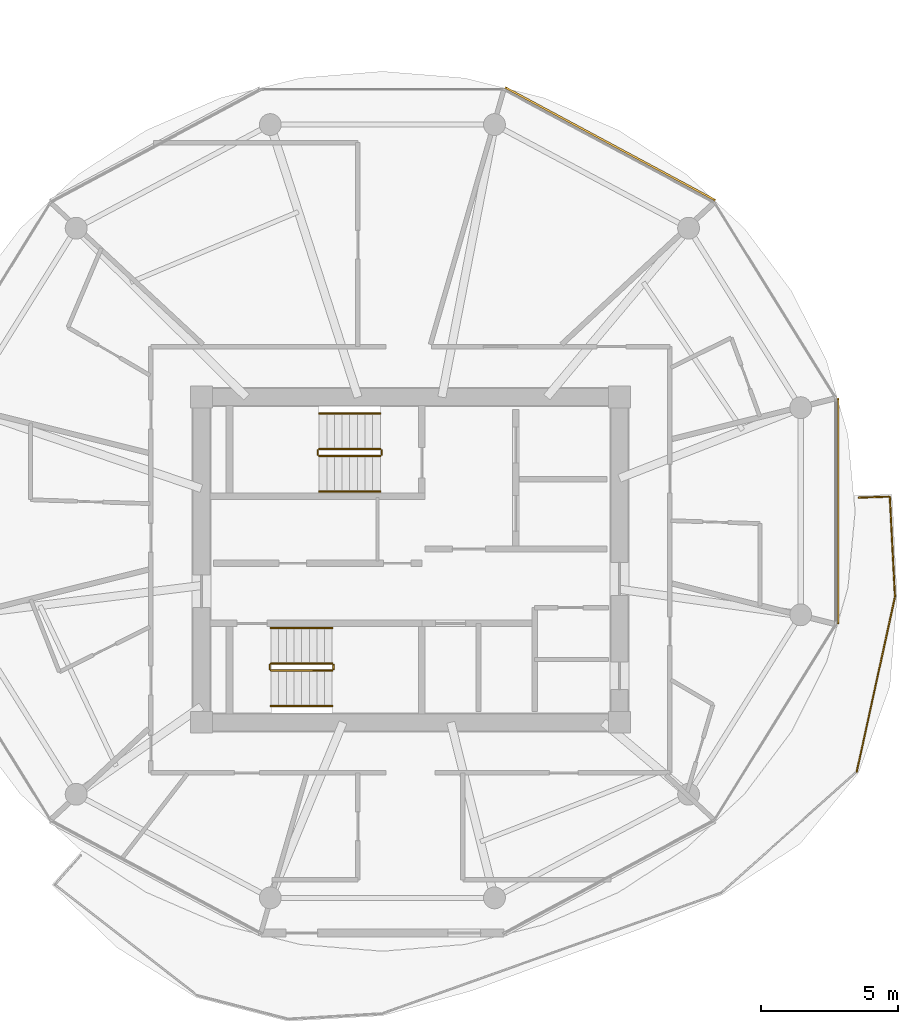
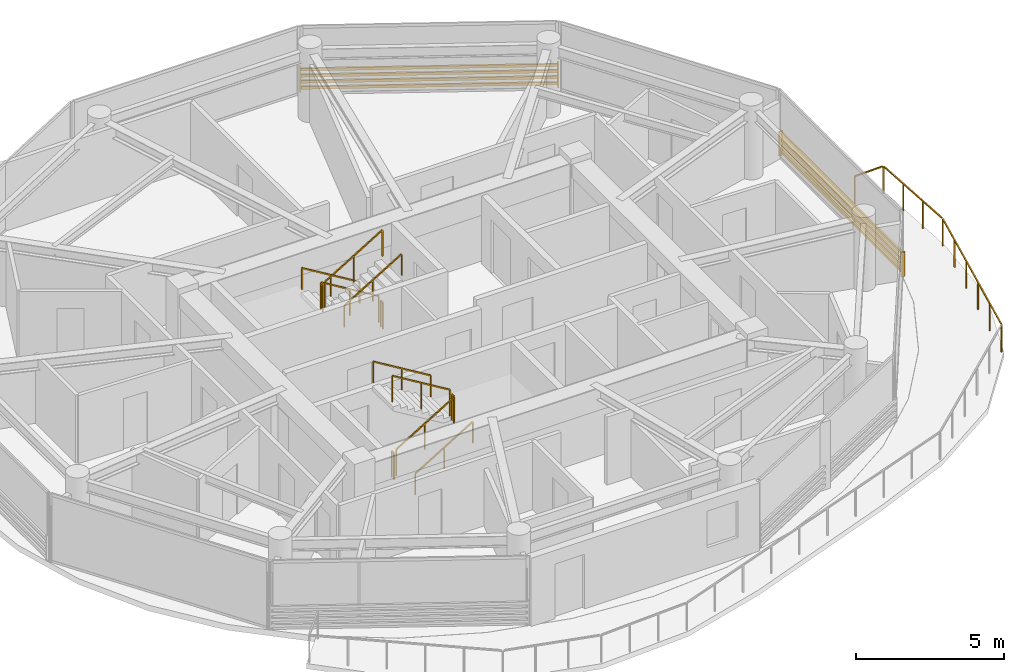
# One storey, part 22 of 22: 13 railings, 2 shading devices.
"""IFC4 building model written with IfcOpenShell, lengths in metres."""

from ifc_helpers import new_model, si_unit, direction, frame, origin, origin_2d, place, context, subcontext, project, spatial, rectangle, extrude, source, transform, mapped, material, type_object, type_shapes, element, save


model = new_model("IFC4")

# Units and contexts
model_context = context("Model", 3, precision=1e-05, world=origin(), true_north=direction((0.0, 1.0)))
body_context = subcontext(model_context, "Body", "Model", "MODEL_VIEW")
ifc_project = project(units=[si_unit("LENGTHUNIT", "METRE"), si_unit("AREAUNIT", "SQUARE_METRE"), si_unit("VOLUMEUNIT", "CUBIC_METRE"), si_unit("PLANEANGLEUNIT", "RADIAN"), si_unit("MASSUNIT", "GRAM", prefix="KILO")], contexts=[model_context])

# Site, building, storey
site_placement = place(None, origin())
site = spatial("IfcSite", under=ifc_project, at=site_placement, CompositionType="ELEMENT")
building_placement = place(site_placement, origin())
building = spatial("IfcBuilding", under=site, at=building_placement, Name="Norrkilde Senior Care Towers", CompositionType="ELEMENT")
storey_placement = place(building_placement, frame((0.0, 0.0, 152.60009765625)))
storey = spatial("IfcBuildingStorey", under=building, at=storey_placement, Name="L47", CompositionType="ELEMENT", Elevation=152.60009765625)

# Railings
ifc_material_1 = material(Name="Anodised Aluminium", Category="aluminium")
railing_type_1 = type_object("IfcRailingType", Name="Balcony Swirl Ribbon Guardrail 1150", PredefinedType="GUARDRAIL", material=ifc_material_1)
railing_1_placement = place(storey_placement, frame((44.408935546875, 2.272705078125, 0.0)))
element("IfcRailing", 1, at=railing_1_placement, inside=storey, type_object=railing_type_1, Name="L47 Perimeter Safety Guard 02", PredefinedType="GUARDRAIL", context=body_context, shape_type="SweptSolid", body=[
    extrude(rectangle(XDim=0.048095703125, YDim=0.048095703125, at=origin_2d()), frame((0.0, 0.0, 1.1259765625), z_axis=(0.999447047727, 0.033250545696, 0.0), x_axis=(-0.033250545696, 0.999447047727, 0.0)), (0.0, 0.0, 1.0), 1.09716796875),
    extrude(rectangle(XDim=0.048095703125, YDim=0.048095703125, at=origin_2d()), frame((1.1396484375, -0.0029296875, 1.1259765625), z_axis=(0.051206259513, -0.998688098951, 0.0), x_axis=(0.998688098951, 0.051206259513, 0.0)), (0.0, 0.0, 1.0), 3.59423828125),
    extrude(rectangle(XDim=0.048095703125, YDim=0.048095703125, at=origin_2d()), frame((1.31689453125, -3.67333984375, 1.1259765625), z_axis=(-0.21359564219, -0.976922157409, 0.0), x_axis=(0.976922157409, -0.21359564219, 0.0)), (0.0, 0.0, 1.0), 6.50390625),
    extrude(rectangle(XDim=0.0419921875, YDim=0.0419921875, at=origin_2d()), origin(), (0.0, 0.0, 1.0), 1.099853515625),
    extrude(rectangle(XDim=0.0419921875, YDim=0.0419921875, at=origin_2d()), frame((1.137451171875, 0.037841796875, 0.0)), (0.0, 0.0, 1.0), 1.099853515625),
    extrude(rectangle(XDim=0.0419921875, YDim=0.0419921875, at=origin_2d()), frame((1.2001953125, -1.185791015625, 0.0)), (0.0, 0.0, 1.0), 1.099853515625),
    extrude(rectangle(XDim=0.0419921875, YDim=0.0419921875, at=origin_2d()), frame((1.262939453125, -2.40966796875, 0.0)), (0.0, 0.0, 1.0), 1.099853515625),
    extrude(rectangle(XDim=0.0419921875, YDim=0.0419921875, at=origin_2d()), frame((1.32568359375, -3.63330078125, 0.0)), (0.0, 0.0, 1.0), 1.099853515625),
    extrude(rectangle(XDim=0.0419921875, YDim=0.0419921875, at=origin_2d()), frame((1.046142578125, -4.912109375, 0.0)), (0.0, 0.0, 1.0), 1.099853515625),
    extrude(rectangle(XDim=0.0419921875, YDim=0.0419921875, at=origin_2d()), frame((0.7666015625, -6.19091796875, 0.0)), (0.0, 0.0, 1.0), 1.099853515625),
    extrude(rectangle(XDim=0.0419921875, YDim=0.0419921875, at=origin_2d()), frame((0.48681640625, -7.469482421875, 0.0)), (0.0, 0.0, 1.0), 1.099853515625),
    extrude(rectangle(XDim=0.0419921875, YDim=0.0419921875, at=origin_2d()), frame((0.207275390625, -8.748291015625, 0.0)), (0.0, 0.0, 1.0), 1.099853515625),
    extrude(rectangle(XDim=0.0419921875, YDim=0.0419921875, at=origin_2d()), frame((-0.072265625, -10.027099609375, 0.0)), (0.0, 0.0, 1.0), 1.099853515625),
])
ifc_material_2 = material(Name="Stainless Steel", Category="steel")
railing_type_2 = type_object("IfcRailingType", Name="Stair and Terrace Guardrail 1100", PredefinedType="GUARDRAIL", material=ifc_material_2)
railing_2_placement = place(storey_placement, frame((26.89990234375, 4.050048828125, 0.16943359375)))
element("IfcRailing", 2, at=railing_2_placement, inside=storey, type_object=railing_type_2, Name="L47 ST-E1 stair guard 1", PredefinedType="GUARDRAIL", context=body_context, shape_type="SweptSolid", body=[
    extrude(rectangle(XDim=0.048095703125, YDim=0.048095703125, at=origin_2d()), frame((0.0, 0.0, 1.076171875), z_axis=(-0.855553338991, 0.0, 0.51771467445), x_axis=(0.0, -1.0, 0.0)), (0.0, 0.0, 1.0), 2.6181640625),
    extrude(rectangle(XDim=0.0419921875, YDim=0.0419921875, at=origin_2d()), origin(), (0.0, 0.0, 1.0), 1.050048828125),
    extrude(rectangle(XDim=0.0419921875, YDim=0.0419921875, at=origin_2d()), frame((-1.1201171875, 0.0, 0.677734375)), (0.0, 0.0, 1.0), 1.050048828125),
    extrude(rectangle(XDim=0.0419921875, YDim=0.0419921875, at=origin_2d()), frame((-2.239990234375, 0.0, 1.35546875)), (0.0, 0.0, 1.0), 1.050048828125),
])
railing_3_placement = place(storey_placement, frame((24.610107421875, 4.0, 1.52490234375)))
element("IfcRailing", 3, at=railing_3_placement, inside=storey, type_object=railing_type_2, Name="L47 ST-E1 stair guard 2", PredefinedType="GUARDRAIL", context=body_context, shape_type="SweptSolid", body=[
    extrude(rectangle(XDim=0.048095703125, YDim=0.048095703125, at=origin_2d()), frame((0.0, 0.0, 1.076171875), z_axis=(0.0, -1.0, 0.0), x_axis=(1.0, 0.0, 0.0)), (0.0, 0.0, 1.0), 0.14990234375),
    extrude(rectangle(XDim=0.0419921875, YDim=0.0419921875, at=origin_2d()), origin(), (0.0, 0.0, 1.0), 1.050048828125),
    extrude(rectangle(XDim=0.0419921875, YDim=0.0419921875, at=origin_2d()), frame((0.0, -0.14990234375, 0.0)), (0.0, 0.0, 1.0), 1.050048828125),
])
railing_4_placement = place(storey_placement, frame((24.659912109375, 3.800048828125, 1.6943359375)))
element("IfcRailing", 4, at=railing_4_placement, inside=storey, type_object=railing_type_2, Name="L47 ST-E1 stair guard 3", PredefinedType="GUARDRAIL", context=body_context, shape_type="SweptSolid", body=[
    extrude(rectangle(XDim=0.048095703125, YDim=0.048095703125, at=origin_2d()), frame((0.0, 0.0, 1.076171875), z_axis=(0.855553338991, 0.0, 0.51771467445), x_axis=(0.0, 1.0, 0.0)), (0.0, 0.0, 1.0), 2.6181640625),
    extrude(rectangle(XDim=0.0419921875, YDim=0.0419921875, at=origin_2d()), origin(), (0.0, 0.0, 1.0), 1.050048828125),
    extrude(rectangle(XDim=0.0419921875, YDim=0.0419921875, at=origin_2d()), frame((1.1201171875, 0.0, 0.677734375)), (0.0, 0.0, 1.0), 1.050048828125),
    extrude(rectangle(XDim=0.0419921875, YDim=0.0419921875, at=origin_2d()), frame((2.239990234375, 0.0, 1.35546875)), (0.0, 0.0, 1.0), 1.050048828125),
])
railing_5_placement = place(storey_placement, frame((26.949951171875, 4.0, 0.0)))
element("IfcRailing", 5, at=railing_5_placement, inside=storey, type_object=railing_type_2, Name="L47 ST-E1 stair guard 4", PredefinedType="GUARDRAIL", context=body_context, shape_type="SweptSolid", body=[
    extrude(rectangle(XDim=0.048095703125, YDim=0.048095703125, at=origin_2d()), frame((0.0, 0.0, 1.076171875), z_axis=(0.0, -1.0, 0.0), x_axis=(1.0, 0.0, 0.0)), (0.0, 0.0, 1.0), 0.14990234375),
    extrude(rectangle(XDim=0.0419921875, YDim=0.0419921875, at=origin_2d()), origin(), (0.0, 0.0, 1.0), 1.050048828125),
    extrude(rectangle(XDim=0.0419921875, YDim=0.0419921875, at=origin_2d()), frame((0.0, -0.14990234375, 0.0)), (0.0, 0.0, 1.0), 1.050048828125),
])
railing_6_placement = place(storey_placement, frame((22.89990234375, -4.050048828125, 0.16943359375)))
element("IfcRailing", 6, at=railing_6_placement, inside=storey, type_object=railing_type_2, Name="L47 ST-E2 stair guard 1", PredefinedType="GUARDRAIL", context=body_context, shape_type="SweptSolid", body=[
    extrude(rectangle(XDim=0.048095703125, YDim=0.048095703125, at=origin_2d()), frame((0.0, 0.0, 1.076171875), z_axis=(0.855553338991, 0.0, 0.51771467445), x_axis=(0.0, 1.0, 0.0)), (0.0, 0.0, 1.0), 2.6181640625),
    extrude(rectangle(XDim=0.0419921875, YDim=0.0419921875, at=origin_2d()), origin(), (0.0, 0.0, 1.0), 1.050048828125),
    extrude(rectangle(XDim=0.0419921875, YDim=0.0419921875, at=origin_2d()), frame((1.1201171875, 0.0, 0.677734375)), (0.0, 0.0, 1.0), 1.050048828125),
    extrude(rectangle(XDim=0.0419921875, YDim=0.0419921875, at=origin_2d()), frame((2.239990234375, 0.0, 1.35546875)), (0.0, 0.0, 1.0), 1.050048828125),
])
railing_7_placement = place(storey_placement, frame((25.18994140625, -4.0, 1.52490234375)))
element("IfcRailing", 7, at=railing_7_placement, inside=storey, type_object=railing_type_2, Name="L47 ST-E2 stair guard 2", PredefinedType="GUARDRAIL", context=body_context, shape_type="SweptSolid", body=[
    extrude(rectangle(XDim=0.048095703125, YDim=0.048095703125, at=origin_2d()), frame((0.0, 0.0, 1.076171875), z_axis=(0.0, 1.0, 0.0), x_axis=(-1.0, 0.0, 0.0)), (0.0, 0.0, 1.0), 0.14990234375),
    extrude(rectangle(XDim=0.0419921875, YDim=0.0419921875, at=origin_2d()), origin(), (0.0, 0.0, 1.0), 1.050048828125),
    extrude(rectangle(XDim=0.0419921875, YDim=0.0419921875, at=origin_2d()), frame((0.0, 0.14990234375, 0.0)), (0.0, 0.0, 1.0), 1.050048828125),
])
railing_8_placement = place(storey_placement, frame((25.139892578125, -3.800048828125, 1.6943359375)))
element("IfcRailing", 8, at=railing_8_placement, inside=storey, type_object=railing_type_2, Name="L47 ST-E2 stair guard 3", PredefinedType="GUARDRAIL", context=body_context, shape_type="SweptSolid", body=[
    extrude(rectangle(XDim=0.048095703125, YDim=0.048095703125, at=origin_2d()), frame((0.0, 0.0, 1.076171875), z_axis=(-0.855553338991, 0.0, 0.51771467445), x_axis=(0.0, -1.0, 0.0)), (0.0, 0.0, 1.0), 2.6181640625),
    extrude(rectangle(XDim=0.0419921875, YDim=0.0419921875, at=origin_2d()), origin(), (0.0, 0.0, 1.0), 1.050048828125),
    extrude(rectangle(XDim=0.0419921875, YDim=0.0419921875, at=origin_2d()), frame((-1.1201171875, 0.0, 0.677734375)), (0.0, 0.0, 1.0), 1.050048828125),
    extrude(rectangle(XDim=0.0419921875, YDim=0.0419921875, at=origin_2d()), frame((-2.239990234375, 0.0, 1.35546875)), (0.0, 0.0, 1.0), 1.050048828125),
])
railing_9_placement = place(storey_placement, frame((22.85009765625, -4.0, 0.0)))
element("IfcRailing", 9, at=railing_9_placement, inside=storey, type_object=railing_type_2, Name="L47 ST-E2 stair guard 4", PredefinedType="GUARDRAIL", context=body_context, shape_type="SweptSolid", body=[
    extrude(rectangle(XDim=0.048095703125, YDim=0.048095703125, at=origin_2d()), frame((0.0, 0.0, 1.076171875), z_axis=(0.0, 1.0, 0.0), x_axis=(-1.0, 0.0, 0.0)), (0.0, 0.0, 1.0), 0.14990234375),
    extrude(rectangle(XDim=0.0419921875, YDim=0.0419921875, at=origin_2d()), origin(), (0.0, 0.0, 1.0), 1.050048828125),
    extrude(rectangle(XDim=0.0419921875, YDim=0.0419921875, at=origin_2d()), frame((0.0, 0.14990234375, 0.0)), (0.0, 0.0, 1.0), 1.050048828125),
])
ifc_material_3 = material(Name="Nordic Ash Timber", Category="wood")
railing_type_3 = type_object("IfcRailingType", Name="Wall and Stair Handrail 900", PredefinedType="HANDRAIL", material=ifc_material_3)
railing_10_placement = place(storey_placement, frame((26.89990234375, 5.35009765625, 0.16943359375)))
element("IfcRailing", 10, at=railing_10_placement, inside=storey, type_object=railing_type_3, Name="L47 ST-E1 stair handrail 1", PredefinedType="HANDRAIL", context=body_context, shape_type="SweptSolid", body=[
    extrude(rectangle(XDim=0.048095703125, YDim=0.048095703125, at=origin_2d()), frame((0.0, 0.0, 0.8759765625), z_axis=(-0.855553338991, 0.0, 0.51771467445), x_axis=(0.0, -1.0, 0.0)), (0.0, 0.0, 1.0), 2.6181640625),
    extrude(rectangle(XDim=0.0419921875, YDim=0.0419921875, at=origin_2d()), origin(), (0.0, 0.0, 1.0), 0.849853515625),
    extrude(rectangle(XDim=0.0419921875, YDim=0.0419921875, at=origin_2d()), frame((-1.1201171875, 0.0, 0.677734375)), (0.0, 0.0, 1.0), 0.849853515625),
    extrude(rectangle(XDim=0.0419921875, YDim=0.0419921875, at=origin_2d()), frame((-2.239990234375, 0.0, 1.35546875)), (0.0, 0.0, 1.0), 0.849853515625),
])
for number, where, name in (
    (11, (24.659912109375, 2.5, 1.6943359375), "L47 ST-E1 stair handrail 2"),
    (12, (22.89990234375, -5.35009765625, 0.16943359375), "L47 ST-E2 stair handrail 1"),
):
    element("IfcRailing", number, at=place(storey_placement, frame(where)), inside=storey, type_object=railing_type_3, Name=name, PredefinedType="HANDRAIL", context=body_context, shape_type="SweptSolid", body=[
        extrude(rectangle(XDim=0.048095703125, YDim=0.048095703125, at=origin_2d()), frame((0.0, 0.0, 0.8759765625), z_axis=(0.855553338991, 0.0, 0.51771467445), x_axis=(0.0, 1.0, 0.0)), (0.0, 0.0, 1.0), 2.6181640625),
        extrude(rectangle(XDim=0.0419921875, YDim=0.0419921875, at=origin_2d()), origin(), (0.0, 0.0, 1.0), 0.849853515625),
        extrude(rectangle(XDim=0.0419921875, YDim=0.0419921875, at=origin_2d()), frame((1.1201171875, 0.0, 0.677734375)), (0.0, 0.0, 1.0), 0.849853515625),
        extrude(rectangle(XDim=0.0419921875, YDim=0.0419921875, at=origin_2d()), frame((2.239990234375, 0.0, 1.35546875)), (0.0, 0.0, 1.0), 0.849853515625),
    ])
railing_11_placement = place(storey_placement, frame((25.139892578125, -2.5, 1.6943359375)))
element("IfcRailing", 13, at=railing_11_placement, inside=storey, type_object=railing_type_3, Name="L47 ST-E2 stair handrail 2", PredefinedType="HANDRAIL", context=body_context, shape_type="SweptSolid", body=[
    extrude(rectangle(XDim=0.048095703125, YDim=0.048095703125, at=origin_2d()), frame((0.0, 0.0, 0.8759765625), z_axis=(-0.855553338991, 0.0, 0.51771467445), x_axis=(0.0, -1.0, 0.0)), (0.0, 0.0, 1.0), 2.6181640625),
    extrude(rectangle(XDim=0.0419921875, YDim=0.0419921875, at=origin_2d()), origin(), (0.0, 0.0, 1.0), 0.849853515625),
    extrude(rectangle(XDim=0.0419921875, YDim=0.0419921875, at=origin_2d()), frame((-1.1201171875, 0.0, 0.677734375)), (0.0, 0.0, 1.0), 0.849853515625),
    extrude(rectangle(XDim=0.0419921875, YDim=0.0419921875, at=origin_2d()), frame((-2.239990234375, 0.0, 1.35546875)), (0.0, 0.0, 1.0), 0.849853515625),
])

# Shading devices
ifc_material_4 = material(Name="Architectural Terracotta", Category="masonry")
shading_device_type = type_object("IfcShadingDeviceType", Name="Horizontal Terracotta Baguette Rack", PredefinedType="USERDEFINED", material=ifc_material_4)
shared_shape_1 = source(origin(), body_context, "Body", "SweptSolid", [
    extrude(rectangle(XDim=0.070068359375, YDim=0.110107421875, at=origin_2d()), frame((0.0, 0.090087890625, 0.125), z_axis=(1.0, 0.0, 0.0), x_axis=(0.0, 1.0, 0.0)), (0.0, 0.0, 1.0), 8.74169921875),
    extrude(rectangle(XDim=0.070068359375, YDim=0.110107421875, at=origin_2d()), frame((0.0, 0.090087890625, 0.375), z_axis=(1.0, 0.0, 0.0), x_axis=(0.0, 1.0, 0.0)), (0.0, 0.0, 1.0), 8.74169921875),
    extrude(rectangle(XDim=0.070068359375, YDim=0.110107421875, at=origin_2d()), frame((0.0, 0.090087890625, 0.625), z_axis=(1.0, 0.0, 0.0), x_axis=(0.0, 1.0, 0.0)), (0.0, 0.0, 1.0), 8.74169921875),
    extrude(rectangle(XDim=0.070068359375, YDim=0.110107421875, at=origin_2d()), frame((0.0, 0.090087890625, 0.875), z_axis=(1.0, 0.0, 0.0), x_axis=(0.0, 1.0, 0.0)), (0.0, 0.0, 1.0), 8.74169921875),
    extrude(rectangle(XDim=0.050048828125, YDim=0.1552734375, at=origin_2d()), frame((0.02490234375, 0.047607421875, 0.0)), (0.0, 0.0, 1.0), 1.0),
    extrude(rectangle(XDim=0.050048828125, YDim=0.1552734375, at=origin_2d()), frame((8.716796875, 0.047607421875, 0.0)), (0.0, 0.0, 1.0), 1.0),
])
shading_device_1_placement = place(storey_placement, frame((31.421630859375, 17.2109375, 0.079833984375), z_axis=(0.0, 0.0, 1.0), x_axis=(0.880997598168, -0.47313299447, 0.0)))
element("IfcShadingDevice", 14, at=shading_device_1_placement, inside=storey, type_object=shading_device_type, Name="L47 Drum E Terracotta Baguette Screen 01", ObjectType="BAGUETTE", PredefinedType="USERDEFINED", context=body_context, shape_type="MappedRepresentation", body=[
    mapped(shared_shape_1, transform((0.0, 0.0, 0.0), x_axis=(1.0, 0.0, 0.0), y_axis=(0.0, 1.0, 0.0), z_axis=(0.0, 0.0, 1.0), scale=1.0)),
])
shared_shape_2 = source(origin(), body_context, "Body", "SweptSolid", [
    extrude(rectangle(XDim=0.070068359375, YDim=0.110107421875, at=origin_2d()), frame((0.0, 0.090087890625, 0.125), z_axis=(1.0, 0.0, 0.0), x_axis=(0.0, 1.0, 0.0)), (0.0, 0.0, 1.0), 8.27197265625),
    extrude(rectangle(XDim=0.070068359375, YDim=0.110107421875, at=origin_2d()), frame((0.0, 0.090087890625, 0.375), z_axis=(1.0, 0.0, 0.0), x_axis=(0.0, 1.0, 0.0)), (0.0, 0.0, 1.0), 8.27197265625),
    extrude(rectangle(XDim=0.070068359375, YDim=0.110107421875, at=origin_2d()), frame((0.0, 0.090087890625, 0.625), z_axis=(1.0, 0.0, 0.0), x_axis=(0.0, 1.0, 0.0)), (0.0, 0.0, 1.0), 8.27197265625),
    extrude(rectangle(XDim=0.070068359375, YDim=0.110107421875, at=origin_2d()), frame((0.0, 0.090087890625, 0.875), z_axis=(1.0, 0.0, 0.0), x_axis=(0.0, 1.0, 0.0)), (0.0, 0.0, 1.0), 8.27197265625),
    extrude(rectangle(XDim=0.050048828125, YDim=0.1552734375, at=origin_2d()), frame((0.02490234375, 0.047607421875, 0.0)), (0.0, 0.0, 1.0), 1.0),
    extrude(rectangle(XDim=0.050048828125, YDim=0.1552734375, at=origin_2d()), frame((8.2470703125, 0.047607421875, 0.0)), (0.0, 0.0, 1.0), 1.0),
])
type_shapes(shading_device_type, [shared_shape_1, shared_shape_2])
shading_device_2_placement = place(storey_placement, frame((43.569580078125, 5.911376953125, 0.079833984375), z_axis=(0.0, 0.0, 1.0), x_axis=(0.0, -1.0, 0.0)))
element("IfcShadingDevice", 15, at=shading_device_2_placement, inside=storey, type_object=shading_device_type, Name="L47 Drum E Terracotta Baguette Screen 11", ObjectType="BAGUETTE", PredefinedType="USERDEFINED", context=body_context, shape_type="MappedRepresentation", body=[
    mapped(shared_shape_2, transform((0.0, 0.0, 0.0), x_axis=(1.0, 0.0, 0.0), y_axis=(0.0, 1.0, 0.0), z_axis=(0.0, 0.0, 1.0), scale=1.0)),
])

save(model, "model.ifc")
